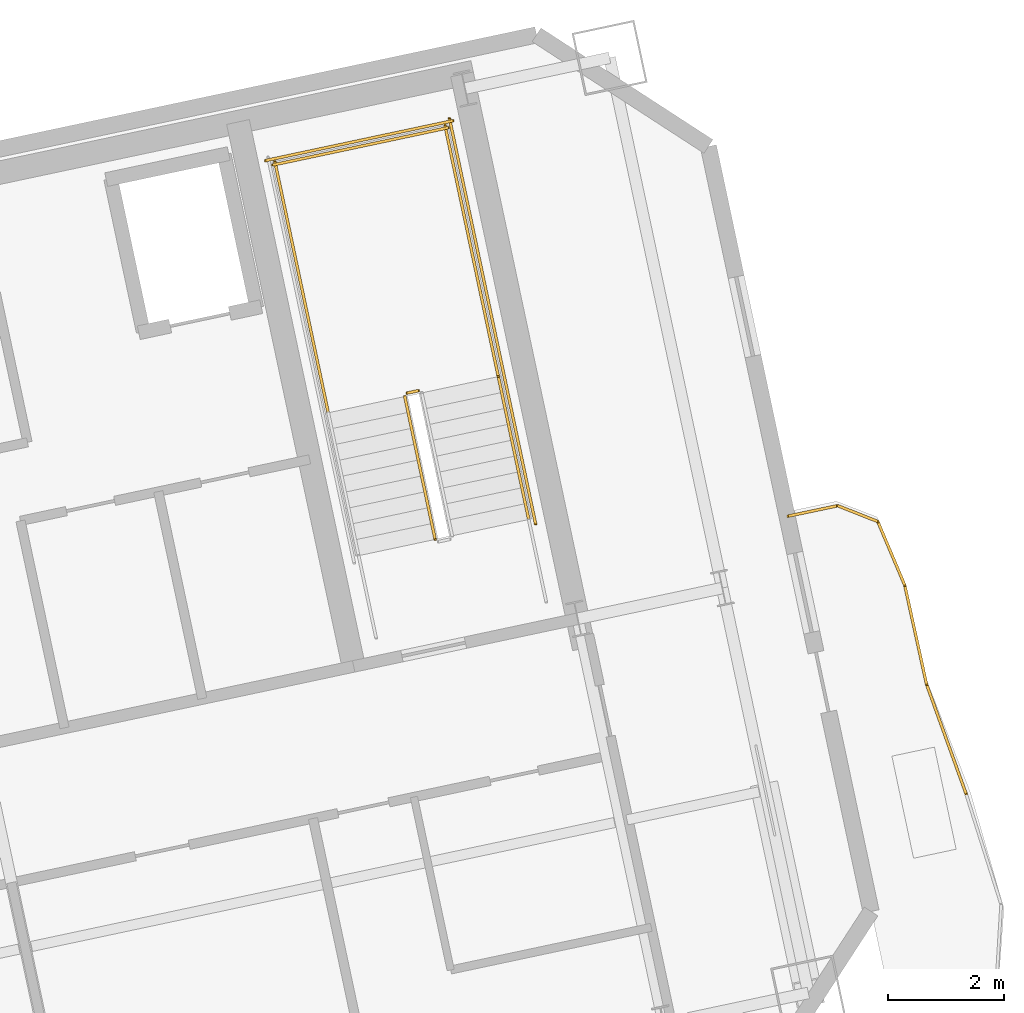
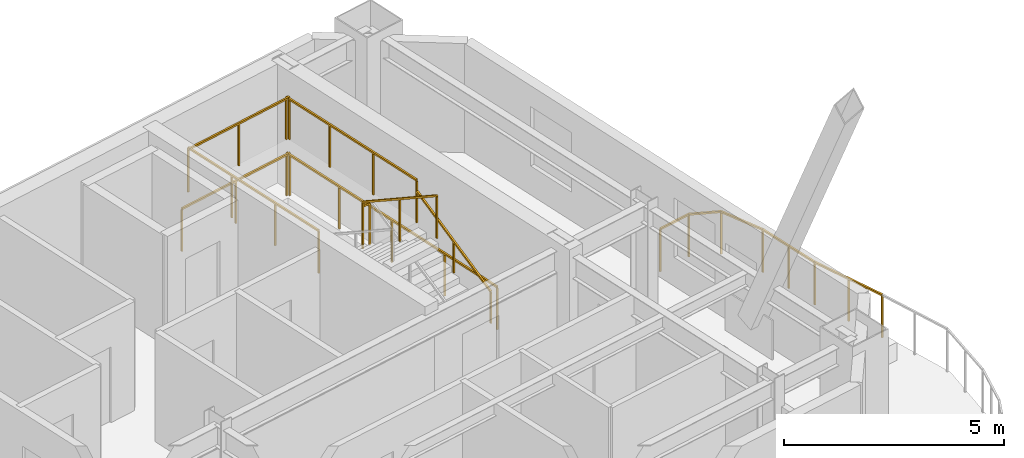
# One storey, part 13 of 13: 13 railings.
"""IFC4 building model written with IfcOpenShell, lengths in metres."""

from ifc_helpers import new_model, si_unit, direction, frame, origin, origin_2d, place, context, subcontext, project, spatial, rectangle, extrude, material, type_object, element, save


model = new_model("IFC4")

# Units and contexts
model_context = context("Model", 3, precision=1e-05, world=origin(), true_north=direction((0.0, 1.0)))
body_context = subcontext(model_context, "Body", "Model", "MODEL_VIEW")
ifc_project = project(units=[si_unit("LENGTHUNIT", "METRE"), si_unit("AREAUNIT", "SQUARE_METRE"), si_unit("VOLUMEUNIT", "CUBIC_METRE"), si_unit("PLANEANGLEUNIT", "RADIAN"), si_unit("MASSUNIT", "GRAM", prefix="KILO")], contexts=[model_context])

# Site, building, storey
site_placement = place(None, origin())
site = spatial("IfcSite", under=ifc_project, at=site_placement, CompositionType="ELEMENT")
building_placement = place(site_placement, origin())
building = spatial("IfcBuilding", under=site, at=building_placement, Name="Haevon Station Towers", CompositionType="ELEMENT")
storey_placement = place(building_placement, frame((0.0, 0.0, 225.300048828125)))
storey = spatial("IfcBuildingStorey", under=building, at=storey_placement, Name="L62", CompositionType="ELEMENT", Elevation=225.300048828125)

# Railings
ifc_material = material(Name="Steel S355", Category="steel")
railing_type_1 = type_object("IfcRailingType", Name="GRD-EXT1200", PredefinedType="GUARDRAIL", material=ifc_material)
railing_1_placement = place(storey_placement, frame((125.992431640625, 38.790283203125, 0.0)))
element("IfcRailing", 1, at=railing_1_placement, inside=storey, type_object=railing_type_1, Name="L62 Perimeter Guardrail 6", PredefinedType="GUARDRAIL", context=body_context, shape_type="SweptSolid", body=[
    extrude(rectangle(XDim=0.048095703125, YDim=0.048095703125, at=origin_2d()), frame((0.0, 0.0, 1.17578125), z_axis=(-0.339300769731, 0.940677940456, 0.0), x_axis=(-0.940677940456, -0.339300769731, 0.0)), (0.0, 0.0, 1.0), 2.007568359375),
    extrude(rectangle(XDim=0.0419921875, YDim=0.0419921875, at=origin_2d()), origin(), (0.0, 0.0, 1.0), 1.15185546875),
    extrude(rectangle(XDim=0.0419921875, YDim=0.0419921875, at=origin_2d()), frame((-0.340576171875, 0.9443359375, 0.0)), (0.0, 0.0, 1.0), 1.15185546875),
    extrude(rectangle(XDim=0.0419921875, YDim=0.0419921875, at=origin_2d()), frame((-0.68115234375, 1.888427734375, 0.0)), (0.0, 0.0, 1.0), 1.15185546875),
])
railing_2_placement = place(storey_placement, frame((125.311279296875, 40.6787109375, 0.0)))
element("IfcRailing", 2, at=railing_2_placement, inside=storey, type_object=railing_type_1, Name="L62 Perimeter Guardrail 7", PredefinedType="GUARDRAIL", context=body_context, shape_type="SweptSolid", body=[
    extrude(rectangle(XDim=0.048095703125, YDim=0.048095703125, at=origin_2d()), frame((0.0, 0.0, 1.17578125), z_axis=(-0.215069312973, 0.976598786922, 0.0), x_axis=(-0.976598786922, -0.215069312973, 0.0)), (0.0, 0.0, 1.0), 1.75048828125),
    extrude(rectangle(XDim=0.0419921875, YDim=0.0419921875, at=origin_2d()), origin(), (0.0, 0.0, 1.0), 1.15185546875),
    extrude(rectangle(XDim=0.0419921875, YDim=0.0419921875, at=origin_2d()), frame((-0.188232421875, 0.854736328125, 0.0)), (0.0, 0.0, 1.0), 1.15185546875),
    extrude(rectangle(XDim=0.0419921875, YDim=0.0419921875, at=origin_2d()), frame((-0.37646484375, 1.70947265625, 0.0)), (0.0, 0.0, 1.0), 1.15185546875),
])
railing_3_placement = place(storey_placement, frame((124.934814453125, 42.38818359375, 0.0)))
element("IfcRailing", 3, at=railing_3_placement, inside=storey, type_object=railing_type_1, Name="L62 Perimeter Guardrail 8", PredefinedType="GUARDRAIL", context=body_context, shape_type="SweptSolid", body=[
    extrude(rectangle(XDim=0.048095703125, YDim=0.048095703125, at=origin_2d()), frame((0.0, 0.0, 1.17578125), z_axis=(-0.389860525795, 0.920873916683, 0.0), x_axis=(-0.920873916683, -0.389860525795, 0.0)), (0.0, 0.0, 1.0), 1.191650390625),
    extrude(rectangle(XDim=0.0419921875, YDim=0.0419921875, at=origin_2d()), origin(), (0.0, 0.0, 1.0), 1.15185546875),
    extrude(rectangle(XDim=0.0419921875, YDim=0.0419921875, at=origin_2d()), frame((-0.464599609375, 1.097412109375, 0.0)), (0.0, 0.0, 1.0), 1.15185546875),
])
railing_4_placement = place(storey_placement, frame((124.47021484375, 43.485595703125, 0.0)))
element("IfcRailing", 4, at=railing_4_placement, inside=storey, type_object=railing_type_1, Name="L62 Perimeter Guardrail 9", PredefinedType="GUARDRAIL", context=body_context, shape_type="SweptSolid", body=[
    extrude(rectangle(XDim=0.048095703125, YDim=0.048095703125, at=origin_2d()), frame((0.0, 0.0, 1.17578125), z_axis=(-0.929918939499, 0.367764552344, 0.0), x_axis=(-0.367764552344, -0.929918939499, 0.0)), (0.0, 0.0, 1.0), 0.743408203125),
    extrude(rectangle(XDim=0.0419921875, YDim=0.0419921875, at=origin_2d()), origin(), (0.0, 0.0, 1.0), 1.15185546875),
    extrude(rectangle(XDim=0.0419921875, YDim=0.0419921875, at=origin_2d()), frame((-0.69140625, 0.2734375, 0.0)), (0.0, 0.0, 1.0), 1.15185546875),
])
railing_5_placement = place(storey_placement, frame((123.77880859375, 43.759033203125, 0.0)))
element("IfcRailing", 5, at=railing_5_placement, inside=storey, type_object=railing_type_1, Name="L62 Perimeter Guardrail 10", PredefinedType="GUARDRAIL", context=body_context, shape_type="SweptSolid", body=[
    extrude(rectangle(XDim=0.048095703125, YDim=0.048095703125, at=origin_2d()), frame((0.0, 0.0, 1.17578125), z_axis=(-0.978588498747, -0.205826504901, 0.0), x_axis=(0.205826504901, -0.978588498747, 0.0)), (0.0, 0.0, 1.0), 0.869384765625),
    extrude(rectangle(XDim=0.0419921875, YDim=0.0419921875, at=origin_2d()), origin(), (0.0, 0.0, 1.0), 1.15185546875),
    extrude(rectangle(XDim=0.0419921875, YDim=0.0419921875, at=origin_2d()), frame((-0.850830078125, -0.178955078125, 0.0)), (0.0, 0.0, 1.0), 1.15185546875),
])
railing_type_2 = type_object("IfcRailingType", Name="GRD-STR1200", PredefinedType="GUARDRAIL", material=ifc_material)
railing_6_placement = place(storey_placement, frame((116.54541015625, 45.7431640625, 1.64990234375)))
element("IfcRailing", 6, at=railing_6_placement, inside=storey, type_object=railing_type_2, Name="L62 ST4 Stair Guard 2", PredefinedType="GUARDRAIL", context=body_context, shape_type="SweptSolid", body=[
    extrude(rectangle(XDim=0.048095703125, YDim=0.048095703125, at=origin_2d()), frame((0.0, 0.0, 1.17578125), z_axis=(-0.97826412705, -0.207362720198, 0.0), x_axis=(0.207362720198, -0.97826412705, 0.0)), (0.0, 0.0, 1.0), 0.2001953125),
    extrude(rectangle(XDim=0.0419921875, YDim=0.0419921875, at=origin_2d()), origin(), (0.0, 0.0, 1.0), 1.15185546875),
    extrude(rectangle(XDim=0.0419921875, YDim=0.0419921875, at=origin_2d()), frame((-0.19580078125, -0.04150390625, 0.0)), (0.0, 0.0, 1.0), 1.15185546875),
])
railing_7_placement = place(storey_placement, frame((117.925048828125, 45.9853515625, 1.64990234375)))
element("IfcRailing", 7, at=railing_7_placement, inside=storey, type_object=railing_type_2, Name="L62 ST4 Stair Guard 3", PredefinedType="GUARDRAIL", context=body_context, shape_type="SweptSolid", body=[
    extrude(rectangle(XDim=0.048095703125, YDim=0.048095703125, at=origin_2d()), frame((0.0, 0.0, 1.17578125), z_axis=(-0.207876551949, 0.978155069071, 0.0), x_axis=(-0.978155069071, -0.207876551949, 0.0)), (0.0, 0.0, 1.0), 4.429931640625),
    extrude(rectangle(XDim=0.0419921875, YDim=0.0419921875, at=origin_2d()), origin(), (0.0, 0.0, 1.0), 1.15185546875),
    extrude(rectangle(XDim=0.0419921875, YDim=0.0419921875, at=origin_2d()), frame((-0.306884765625, 1.4443359375, 0.0)), (0.0, 0.0, 1.0), 1.15185546875),
    extrude(rectangle(XDim=0.0419921875, YDim=0.0419921875, at=origin_2d()), frame((-0.614013671875, 2.888916015625, 0.0)), (0.0, 0.0, 1.0), 1.15185546875),
    extrude(rectangle(XDim=0.0419921875, YDim=0.0419921875, at=origin_2d()), frame((-0.9208984375, 4.333251953125, 0.0)), (0.0, 0.0, 1.0), 1.15185546875),
])
railing_8_placement = place(storey_placement, frame((114.99072265625, 45.361572265625, 1.64990234375)))
element("IfcRailing", 8, at=railing_8_placement, inside=storey, type_object=railing_type_2, Name="L62 ST4 Stair Guard 4", PredefinedType="GUARDRAIL", context=body_context, shape_type="SweptSolid", body=[
    extrude(rectangle(XDim=0.048095703125, YDim=0.048095703125, at=origin_2d()), frame((0.0, 0.0, 1.17578125), z_axis=(-0.207929280007, 0.978143861871, 0.0), x_axis=(-0.978143861871, -0.207929280007, 0.0)), (0.0, 0.0, 1.0), 4.43017578125),
    extrude(rectangle(XDim=0.0419921875, YDim=0.0419921875, at=origin_2d()), origin(), (0.0, 0.0, 1.0), 1.15185546875),
    extrude(rectangle(XDim=0.0419921875, YDim=0.0419921875, at=origin_2d()), frame((-0.30712890625, 1.4443359375, 0.0)), (0.0, 0.0, 1.0), 1.15185546875),
    extrude(rectangle(XDim=0.0419921875, YDim=0.0419921875, at=origin_2d()), frame((-0.614013671875, 2.888916015625, 0.0)), (0.0, 0.0, 1.0), 1.15185546875),
    extrude(rectangle(XDim=0.0419921875, YDim=0.0419921875, at=origin_2d()), frame((-0.921142578125, 4.333251953125, 0.0)), (0.0, 0.0, 1.0), 1.15185546875),
])
railing_9_placement = place(storey_placement, frame((117.0634765625, 50.280029296875, 1.64990234375)))
element("IfcRailing", 9, at=railing_9_placement, inside=storey, type_object=railing_type_2, Name="L62 ST4 Stair Guard 5", PredefinedType="GUARDRAIL", context=body_context, shape_type="SweptSolid", body=[
    extrude(rectangle(XDim=0.048095703125, YDim=0.048095703125, at=origin_2d()), frame((0.0, 0.0, 1.17578125), z_axis=(-0.978146839882, -0.207915270313, 0.0), x_axis=(0.207915270313, -0.978146839882, 0.0)), (0.0, 0.0, 1.0), 3.099853515625),
    extrude(rectangle(XDim=0.0419921875, YDim=0.0419921875, at=origin_2d()), origin(), (0.0, 0.0, 1.0), 1.15185546875),
    extrude(rectangle(XDim=0.0419921875, YDim=0.0419921875, at=origin_2d()), frame((-1.51611328125, -0.322265625, 0.0)), (0.0, 0.0, 1.0), 1.15185546875),
    extrude(rectangle(XDim=0.0419921875, YDim=0.0419921875, at=origin_2d()), frame((-3.0322265625, -0.64453125, 0.0)), (0.0, 0.0, 1.0), 1.15185546875),
])
railing_10_placement = place(storey_placement, frame((116.311279296875, 45.642333984375, 1.81494140625)))
element("IfcRailing", 10, at=railing_10_placement, inside=storey, type_object=railing_type_2, Name="L62 ST4 Stair Guard 6", PredefinedType="GUARDRAIL", context=body_context, shape_type="SweptSolid", body=[
    extrude(rectangle(XDim=0.048095703125, YDim=0.048095703125, at=origin_2d()), frame((0.0, 0.0, 1.17578125), z_axis=(0.179108667068, -0.842712120868, 0.50769712105), x_axis=(0.978151217824, 0.207894673017, 0.0)), (0.0, 0.0, 1.0), 2.92529296875),
    extrude(rectangle(XDim=0.0419921875, YDim=0.0419921875, at=origin_2d()), origin(), (0.0, 0.0, 1.0), 1.15185546875),
    extrude(rectangle(XDim=0.0419921875, YDim=0.0419921875, at=origin_2d()), frame((0.261962890625, -1.232421875, 0.74267578125)), (0.0, 0.0, 1.0), 1.15185546875),
    extrude(rectangle(XDim=0.0419921875, YDim=0.0419921875, at=origin_2d()), frame((0.52392578125, -2.465087890625, 1.485107421875)), (0.0, 0.0, 1.0), 1.15185546875),
])
railing_11_placement = place(storey_placement, frame((118.567626953125, 43.443359375, 0.0)))
element("IfcRailing", 11, at=railing_11_placement, inside=storey, type_object=railing_type_2, Name="L62 ST4 Stair Guard 10", PredefinedType="GUARDRAIL", context=body_context, shape_type="SweptSolid", body=[
    extrude(rectangle(XDim=0.048095703125, YDim=0.048095703125, at=origin_2d()), frame((0.0, 0.0, 1.17578125), z_axis=(-0.207908168386, 0.978148349443, 0.0), x_axis=(-0.978148349443, -0.207908168386, 0.0)), (0.0, 0.0, 1.0), 7.150146484375),
    extrude(rectangle(XDim=0.0419921875, YDim=0.0419921875, at=origin_2d()), origin(), (0.0, 0.0, 1.0), 1.15185546875),
    extrude(rectangle(XDim=0.0419921875, YDim=0.0419921875, at=origin_2d()), frame((-0.37158203125, 1.74853515625, 0.0)), (0.0, 0.0, 1.0), 1.15185546875),
    extrude(rectangle(XDim=0.0419921875, YDim=0.0419921875, at=origin_2d()), frame((-0.7431640625, 3.4970703125, 0.0)), (0.0, 0.0, 1.0), 1.15185546875),
    extrude(rectangle(XDim=0.0419921875, YDim=0.0419921875, at=origin_2d()), frame((-1.114990234375, 5.245361328125, 0.0)), (0.0, 0.0, 1.0), 1.15185546875),
    extrude(rectangle(XDim=0.0419921875, YDim=0.0419921875, at=origin_2d()), frame((-1.486572265625, 6.993896484375, 0.0)), (0.0, 0.0, 1.0), 1.15185546875),
])
railing_12_placement = place(storey_placement, frame((117.140380859375, 50.398681640625, 0.0)))
element("IfcRailing", 12, at=railing_12_placement, inside=storey, type_object=railing_type_2, Name="L62 ST4 Stair Guard 12", PredefinedType="GUARDRAIL", context=body_context, shape_type="SweptSolid", body=[
    extrude(rectangle(XDim=0.048095703125, YDim=0.048095703125, at=origin_2d()), frame((0.0, 0.0, 1.17578125), z_axis=(-0.978135717418, -0.207967589567, 0.0), x_axis=(0.207967589567, -0.978135717418, 0.0)), (0.0, 0.0, 1.0), 3.300048828125),
    extrude(rectangle(XDim=0.0419921875, YDim=0.0419921875, at=origin_2d()), origin(), (0.0, 0.0, 1.0), 1.15185546875),
    extrude(rectangle(XDim=0.0419921875, YDim=0.0419921875, at=origin_2d()), frame((-1.61376953125, -0.34326171875, 0.0)), (0.0, 0.0, 1.0), 1.15185546875),
    extrude(rectangle(XDim=0.0419921875, YDim=0.0419921875, at=origin_2d()), frame((-3.227783203125, -0.686279296875, 0.0)), (0.0, 0.0, 1.0), 1.15185546875),
])
railing_type_3 = type_object("IfcRailingType", Name="HND-STR900", PredefinedType="HANDRAIL", material=ifc_material)
railing_13_placement = place(storey_placement, frame((118.448974609375, 43.5205078125, 0.1650390625)))
element("IfcRailing", 13, at=railing_13_placement, inside=storey, type_object=railing_type_3, Name="L62 ST4 Stair Handrail 1", PredefinedType="HANDRAIL", context=body_context, shape_type="SweptSolid", body=[
    extrude(rectangle(XDim=0.048095703125, YDim=0.048095703125, at=origin_2d()), frame((0.0, 0.0, 0.8759765625), z_axis=(-0.179128856099, 0.842723639875, 0.507670877349), x_axis=(-0.978147030254, -0.207914374695, 0.0)), (0.0, 0.0, 1.0), 2.9248046875),
    extrude(rectangle(XDim=0.0419921875, YDim=0.0419921875, at=origin_2d()), origin(), (0.0, 0.0, 1.0), 0.851806640625),
    extrude(rectangle(XDim=0.0419921875, YDim=0.0419921875, at=origin_2d()), frame((-0.261962890625, 1.232421875, 0.742431640625)), (0.0, 0.0, 1.0), 0.851806640625),
    extrude(rectangle(XDim=0.0419921875, YDim=0.0419921875, at=origin_2d()), frame((-0.52392578125, 2.46484375, 1.48486328125)), (0.0, 0.0, 1.0), 0.851806640625),
])

save(model, "model.ifc")
